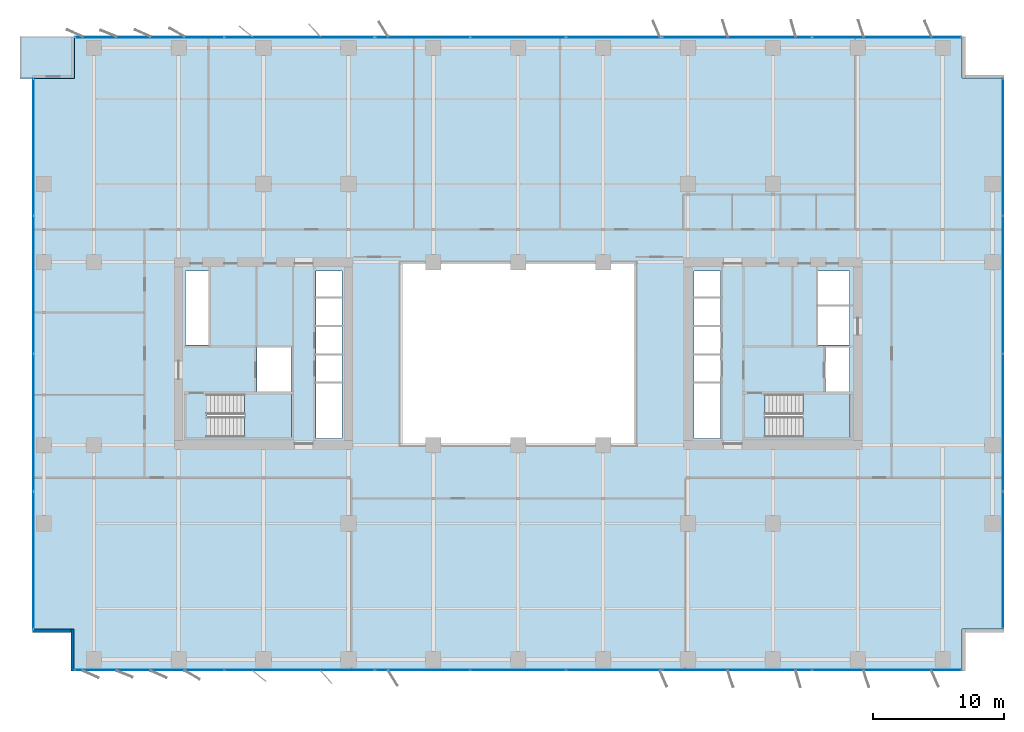
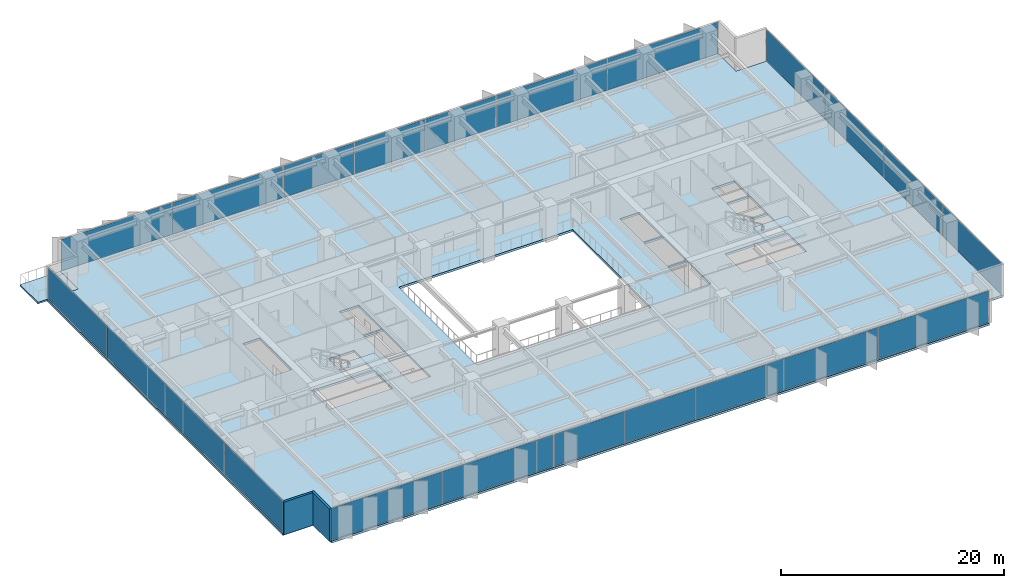
# One storey, part 12 of 20: 22 plates, 4 slabs, 2 walls, 10 elements without a shape of their own.
"""IFC4 building model written with IfcOpenShell, lengths in metres."""

from ifc_helpers import new_model, si_unit, direction, frame, frame_2d, origin, origin_2d, place, context, subcontext, project, spatial, polyline, rectangle, outline, extrude, material, layer, layer_set, type_object, element, aggregate, save


model = new_model("IFC4")

# Units and contexts
model_context = context("Model", 3, precision=1e-05, world=origin(), true_north=direction((0.0, 1.0)))
body_context = subcontext(model_context, "Body", "Model", "MODEL_VIEW")
ifc_project = project(units=[si_unit("LENGTHUNIT", "METRE"), si_unit("AREAUNIT", "SQUARE_METRE"), si_unit("VOLUMEUNIT", "CUBIC_METRE"), si_unit("PLANEANGLEUNIT", "RADIAN"), si_unit("MASSUNIT", "GRAM", prefix="KILO")], contexts=[model_context])

# Site, building, storey
site_placement = place(None, origin())
site = spatial("IfcSite", under=ifc_project, at=site_placement, CompositionType="ELEMENT")
building_placement = place(site_placement, origin())
building = spatial("IfcBuilding", under=site, at=building_placement, Name="Putna Gate Headquarters", CompositionType="ELEMENT")
storey_placement = place(building_placement, frame((0.0, 0.0, 89.800048828125)))
storey = spatial("IfcBuildingStorey", under=building, at=storey_placement, Name="L21", CompositionType="ELEMENT", Elevation=89.800048828125)

# Stair, slab
ifc_material_1 = material(Name="Concrete C40/50", Category="concrete")
stair_type_1 = type_object("IfcStairType", Name="STAIR-ST1", PredefinedType="HALF_TURN_STAIR", material=ifc_material_1)
stair_1_placement = place(storey_placement, origin())
stair_1 = element("IfcStair", 1, at=stair_1_placement, inside=storey, type_object=stair_type_1, Name="L21 West Core Exit Stair ST1", PredefinedType="HALF_TURN_STAIR")
ifc_layer_1 = layer(ifc_material_1, 0.199951171875)
ifc_layer_set_1 = layer_set([ifc_layer_1], Name="Concrete C40/50")
slab_type_1 = type_object("IfcSlabType", Name="LANDING-ST1", PredefinedType="LANDING", material=ifc_layer_set_1)
slab_1_placement = place(storey_placement, frame((0.0, 0.0, 1.699951171875)))
slab_1 = element("IfcSlab", 2, at=slab_1_placement, type_object=slab_type_1, Name="ST1 landing 1", PredefinedType="LANDING", context=body_context, shape_type="SweptSolid", body=[
    extrude(outline(polyline([(18.050048828125, 19.60009765625), (21.64990234375, 19.60009765625), (21.64990234375, 22.89990234375), (18.050048828125, 22.89990234375), (18.050048828125, 19.60009765625)])), origin(), (0.0, 0.0, 1.0), 0.199951171875),
])
aggregate(stair_1, [slab_1])

stair_type_2 = type_object("IfcStairType", Name="STAIR-ST2", PredefinedType="HALF_TURN_STAIR", material=ifc_material_1)
stair_2_placement = place(storey_placement, origin())
stair_2 = element("IfcStair", 3, at=stair_2_placement, inside=storey, type_object=stair_type_2, Name="L21 East Core Exit Stair ST2", PredefinedType="HALF_TURN_STAIR")
ifc_layer_2 = layer(ifc_material_1, 0.199951171875)
ifc_layer_set_2 = layer_set([ifc_layer_2], Name="Concrete C40/50")
slab_type_2 = type_object("IfcSlabType", Name="LANDING-ST2", PredefinedType="LANDING", material=ifc_layer_set_2)
slab_2_placement = place(storey_placement, frame((0.0, 0.0, 1.699951171875)))
slab_2 = element("IfcSlab", 4, at=slab_2_placement, type_object=slab_type_2, Name="ST2 landing 1", PredefinedType="LANDING", context=body_context, shape_type="SweptSolid", body=[
    extrude(outline(polyline([(60.800048828125, 19.60009765625), (64.39990234375, 19.60009765625), (64.39990234375, 22.89990234375), (60.800048828125, 22.89990234375), (60.800048828125, 19.60009765625)])), origin(), (0.0, 0.0, 1.0), 0.199951171875),
])
aggregate(stair_2, [slab_2])

# Curtain wall, plates
ifc_material_2 = material(Name="Anodised bronze aluminium curtain wall", Category="aluminium")
ifc_layer_3 = layer(ifc_material_2, 0.159912109375)
ifc_layer_set_3 = layer_set([ifc_layer_3], Name="Anodised bronze aluminium curtain wall")
curtain_wall_type_1 = type_object("IfcCurtainWallType", Name="CW-SYS-Z2", PredefinedType="USERDEFINED", material=ifc_layer_set_3)
curtain_wall_1_placement = place(storey_placement, origin())
curtain_wall_1 = element("IfcCurtainWall", 5, at=curtain_wall_1_placement, inside=storey, type_object=curtain_wall_type_1, Name="L21 South West Curtain Wall", ObjectType="STICK CURTAIN WALL", PredefinedType="USERDEFINED")
ifc_material_3 = material(Name="Solar-control triple low-E glass", Category="glass")
ifc_layer_4 = layer(ifc_material_3, 0.030029296875)
ifc_layer_set_4 = layer_set([ifc_layer_4], Name="Solar-control triple low-E glass")
plate_type_1 = type_object("IfcPlateType", Name="PAN-CWP-2", PredefinedType="CURTAIN_PANEL", material=ifc_layer_set_4)
plate_1_placement = place(storey_placement, frame((10.766357421875, 1.780029296875, 0.06494140625), z_axis=(0.0, 0.0, 1.0), x_axis=(1.0, 0.0, 0.0)))
plate_1 = element("IfcPlate", 6, at=plate_1_placement, type_object=plate_type_1, Name="CWS-2 panel 1.1", PredefinedType="CURTAIN_PANEL", context=body_context, shape_type="SweptSolid", body=[
    extrude(rectangle(XDim=11.402587890625, YDim=0.030029296875, at=origin_2d()), origin(), (0.0, 0.0, 1.0), 3.43505859375),
])
plate_2_placement = place(storey_placement, frame((22.233642578125, 1.780029296875, 0.06494140625), z_axis=(0.0, 0.0, 1.0), x_axis=(1.0, 0.0, 0.0)))
plate_2 = element("IfcPlate", 7, at=plate_2_placement, type_object=plate_type_1, Name="CWS-2 panel 2.1", PredefinedType="CURTAIN_PANEL", context=body_context, shape_type="SweptSolid", body=[
    extrude(rectangle(XDim=11.402587890625, YDim=0.030029296875, at=origin_2d()), origin(), (0.0, 0.0, 1.0), 3.43505859375),
])
aggregate(curtain_wall_1, [plate_1, plate_2])

curtain_wall_2_placement = place(storey_placement, origin())
curtain_wall_2 = element("IfcCurtainWall", 8, at=curtain_wall_2_placement, inside=storey, type_object=curtain_wall_type_1, Name="L21 South East Curtain Wall", ObjectType="STICK CURTAIN WALL", PredefinedType="USERDEFINED")
plate_3_placement = place(storey_placement, frame((55.766357421875, 1.780029296875, 0.06494140625), z_axis=(0.0, 0.0, 1.0), x_axis=(1.0, 0.0, 0.0)))
plate_3 = element("IfcPlate", 9, at=plate_3_placement, type_object=plate_type_1, Name="CWS-2 panel 1.1", PredefinedType="CURTAIN_PANEL", context=body_context, shape_type="SweptSolid", body=[
    extrude(rectangle(XDim=11.402587890625, YDim=0.030029296875, at=origin_2d()), origin(), (0.0, 0.0, 1.0), 3.43505859375),
])
plate_4_placement = place(storey_placement, frame((67.233642578125, 1.780029296875, 0.06494140625), z_axis=(0.0, 0.0, 1.0), x_axis=(1.0, 0.0, 0.0)))
plate_4 = element("IfcPlate", 10, at=plate_4_placement, type_object=plate_type_1, Name="CWS-2 panel 2.1", PredefinedType="CURTAIN_PANEL", context=body_context, shape_type="SweptSolid", body=[
    extrude(rectangle(XDim=11.402587890625, YDim=0.030029296875, at=origin_2d()), origin(), (0.0, 0.0, 1.0), 3.43505859375),
])
aggregate(curtain_wall_2, [plate_3, plate_4])

curtain_wall_3_placement = place(storey_placement, origin())
curtain_wall_3 = element("IfcCurtainWall", 11, at=curtain_wall_3_placement, inside=storey, type_object=curtain_wall_type_1, Name="L21 North West Curtain Wall", ObjectType="STICK CURTAIN WALL", PredefinedType="USERDEFINED")
plate_5_placement = place(storey_placement, frame((10.766357421875, 50.219970703125, 0.06494140625), z_axis=(0.0, 0.0, 1.0), x_axis=(1.0, 0.0, 0.0)))
plate_5 = element("IfcPlate", 12, at=plate_5_placement, type_object=plate_type_1, Name="CWS-2 panel 1.1", PredefinedType="CURTAIN_PANEL", context=body_context, shape_type="SweptSolid", body=[
    extrude(rectangle(XDim=11.402587890625, YDim=0.030029296875, at=origin_2d()), origin(), (0.0, 0.0, 1.0), 3.43505859375),
])
plate_6_placement = place(storey_placement, frame((22.233642578125, 50.219970703125, 0.06494140625), z_axis=(0.0, 0.0, 1.0), x_axis=(1.0, 0.0, 0.0)))
plate_6 = element("IfcPlate", 13, at=plate_6_placement, type_object=plate_type_1, Name="CWS-2 panel 2.1", PredefinedType="CURTAIN_PANEL", context=body_context, shape_type="SweptSolid", body=[
    extrude(rectangle(XDim=11.402587890625, YDim=0.030029296875, at=origin_2d()), origin(), (0.0, 0.0, 1.0), 3.43505859375),
])
aggregate(curtain_wall_3, [plate_5, plate_6])

curtain_wall_4_placement = place(storey_placement, origin())
curtain_wall_4 = element("IfcCurtainWall", 14, at=curtain_wall_4_placement, inside=storey, type_object=curtain_wall_type_1, Name="L21 North East Curtain Wall", ObjectType="STICK CURTAIN WALL", PredefinedType="USERDEFINED")
plate_7_placement = place(storey_placement, frame((55.766357421875, 50.219970703125, 0.06494140625), z_axis=(0.0, 0.0, 1.0), x_axis=(1.0, 0.0, 0.0)))
plate_7 = element("IfcPlate", 15, at=plate_7_placement, type_object=plate_type_1, Name="CWS-2 panel 1.1", PredefinedType="CURTAIN_PANEL", context=body_context, shape_type="SweptSolid", body=[
    extrude(rectangle(XDim=11.402587890625, YDim=0.030029296875, at=origin_2d()), origin(), (0.0, 0.0, 1.0), 3.43505859375),
])
plate_8_placement = place(storey_placement, frame((67.233642578125, 50.219970703125, 0.06494140625), z_axis=(0.0, 0.0, 1.0), x_axis=(1.0, 0.0, 0.0)))
plate_8 = element("IfcPlate", 16, at=plate_8_placement, type_object=plate_type_1, Name="CWS-2 panel 2.1", PredefinedType="CURTAIN_PANEL", context=body_context, shape_type="SweptSolid", body=[
    extrude(rectangle(XDim=11.402587890625, YDim=0.030029296875, at=origin_2d()), origin(), (0.0, 0.0, 1.0), 3.43505859375),
])
aggregate(curtain_wall_4, [plate_7, plate_8])

curtain_wall_5_placement = place(storey_placement, origin())
curtain_wall_5 = element("IfcCurtainWall", 17, at=curtain_wall_5_placement, inside=storey, type_object=curtain_wall_type_1, Name="L21 West Curtain Wall", ObjectType="STICK CURTAIN WALL", PredefinedType="USERDEFINED")
plate_9_placement = place(storey_placement, frame((1.8798828125, 10.191162109375, 0.06494140625), z_axis=(0.0, 0.0, 1.0), x_axis=(0.0, 1.0, 0.0)))
plate_9 = element("IfcPlate", 18, at=plate_9_placement, type_object=plate_type_1, Name="CWS-2 panel 1.1", PredefinedType="CURTAIN_PANEL", context=body_context, shape_type="SweptSolid", body=[
    extrude(rectangle(XDim=10.452392578125, YDim=0.030029296875, at=origin_2d()), origin(), (0.0, 0.0, 1.0), 3.43505859375),
])
plate_10_placement = place(storey_placement, frame((1.8798828125, 20.72509765625, 0.06494140625), z_axis=(0.0, 0.0, 1.0), x_axis=(0.0, 1.0, 0.0)))
plate_10 = element("IfcPlate", 19, at=plate_10_placement, type_object=plate_type_1, Name="CWS-2 panel 2.1", PredefinedType="CURTAIN_PANEL", context=body_context, shape_type="SweptSolid", body=[
    extrude(rectangle(XDim=10.485107421875, YDim=0.030029296875, at=origin_2d()), origin(), (0.0, 0.0, 1.0), 3.43505859375),
])
plate_11_placement = place(storey_placement, frame((1.8798828125, 31.27490234375, 0.06494140625), z_axis=(0.0, 0.0, 1.0), x_axis=(0.0, 1.0, 0.0)))
plate_11 = element("IfcPlate", 20, at=plate_11_placement, type_object=plate_type_1, Name="CWS-2 panel 3.1", PredefinedType="CURTAIN_PANEL", context=body_context, shape_type="SweptSolid", body=[
    extrude(rectangle(XDim=10.485107421875, YDim=0.030029296875, at=origin_2d()), origin(), (0.0, 0.0, 1.0), 3.43505859375),
])
plate_12_placement = place(storey_placement, frame((1.8798828125, 41.808837890625, 0.06494140625), z_axis=(0.0, 0.0, 1.0), x_axis=(0.0, 1.0, 0.0)))
plate_12 = element("IfcPlate", 21, at=plate_12_placement, type_object=plate_type_1, Name="CWS-2 panel 4.1", PredefinedType="CURTAIN_PANEL", context=body_context, shape_type="SweptSolid", body=[
    extrude(rectangle(XDim=10.452392578125, YDim=0.030029296875, at=origin_2d()), origin(), (0.0, 0.0, 1.0), 3.43505859375),
])
aggregate(curtain_wall_5, [plate_9, plate_10, plate_11, plate_12])

curtain_wall_6_placement = place(storey_placement, origin())
curtain_wall_6 = element("IfcCurtainWall", 22, at=curtain_wall_6_placement, inside=storey, type_object=curtain_wall_type_1, Name="L21 East Curtain Wall", ObjectType="STICK CURTAIN WALL", PredefinedType="USERDEFINED")
plate_13_placement = place(storey_placement, frame((76.1201171875, 10.191162109375, 0.06494140625), z_axis=(0.0, 0.0, 1.0), x_axis=(0.0, 1.0, 0.0)))
plate_13 = element("IfcPlate", 23, at=plate_13_placement, type_object=plate_type_1, Name="CWS-2 panel 1.1", PredefinedType="CURTAIN_PANEL", context=body_context, shape_type="SweptSolid", body=[
    extrude(rectangle(XDim=10.452392578125, YDim=0.030029296875, at=origin_2d()), origin(), (0.0, 0.0, 1.0), 3.43505859375),
])
plate_14_placement = place(storey_placement, frame((76.1201171875, 20.72509765625, 0.06494140625), z_axis=(0.0, 0.0, 1.0), x_axis=(0.0, 1.0, 0.0)))
plate_14 = element("IfcPlate", 24, at=plate_14_placement, type_object=plate_type_1, Name="CWS-2 panel 2.1", PredefinedType="CURTAIN_PANEL", context=body_context, shape_type="SweptSolid", body=[
    extrude(rectangle(XDim=10.485107421875, YDim=0.030029296875, at=origin_2d()), origin(), (0.0, 0.0, 1.0), 3.43505859375),
])
plate_15_placement = place(storey_placement, frame((76.1201171875, 31.27490234375, 0.06494140625), z_axis=(0.0, 0.0, 1.0), x_axis=(0.0, 1.0, 0.0)))
plate_15 = element("IfcPlate", 25, at=plate_15_placement, type_object=plate_type_1, Name="CWS-2 panel 3.1", PredefinedType="CURTAIN_PANEL", context=body_context, shape_type="SweptSolid", body=[
    extrude(rectangle(XDim=10.485107421875, YDim=0.030029296875, at=origin_2d()), origin(), (0.0, 0.0, 1.0), 3.43505859375),
])
plate_16_placement = place(storey_placement, frame((76.1201171875, 41.808837890625, 0.06494140625), z_axis=(0.0, 0.0, 1.0), x_axis=(0.0, 1.0, 0.0)))
plate_16 = element("IfcPlate", 26, at=plate_16_placement, type_object=plate_type_1, Name="CWS-2 panel 4.1", PredefinedType="CURTAIN_PANEL", context=body_context, shape_type="SweptSolid", body=[
    extrude(rectangle(XDim=10.452392578125, YDim=0.030029296875, at=origin_2d()), origin(), (0.0, 0.0, 1.0), 3.43505859375),
])
aggregate(curtain_wall_6, [plate_13, plate_14, plate_15, plate_16])

ifc_layer_5 = layer(ifc_material_2, 0.179931640625)
ifc_layer_set_5 = layer_set([ifc_layer_5], Name="Anodised bronze aluminium curtain wall")
curtain_wall_type_2 = type_object("IfcCurtainWallType", Name="CW-SYS-ATR", PredefinedType="USERDEFINED", material=ifc_layer_set_5)
curtain_wall_7_placement = place(storey_placement, origin())
curtain_wall_7 = element("IfcCurtainWall", 27, at=curtain_wall_7_placement, inside=storey, type_object=curtain_wall_type_2, Name="L21 South Atrium Clear Glazing", ObjectType="ATRIUM GLAZING", PredefinedType="USERDEFINED")
ifc_material_4 = material(Name="Clear low-iron triple glazing", Category="glass")
ifc_layer_6 = layer(ifc_material_4, 0.0400390625)
ifc_layer_set_6 = layer_set([ifc_layer_6], Name="Clear low-iron triple glazing")
plate_type_2 = type_object("IfcPlateType", Name="PAN-CWP-AT", PredefinedType="CURTAIN_PANEL", material=ifc_layer_set_6)
plate_17_placement = place(storey_placement, frame((31.68408203125, 1.780029296875, 0.06982421875), z_axis=(0.0, 0.0, 1.0), x_axis=(1.0, 0.0, 0.0)))
plate_17 = element("IfcPlate", 28, at=plate_17_placement, type_object=plate_type_2, Name="CWS-AT panel 1.1", PredefinedType="CURTAIN_PANEL", context=body_context, shape_type="SweptSolid", body=[
    extrude(rectangle(XDim=7.228271484375, YDim=0.0400390625, at=origin_2d()), origin(), (0.0, 0.0, 1.0), 3.425048828125),
])
plate_18_placement = place(storey_placement, frame((39.0, 1.780029296875, 0.06982421875), z_axis=(0.0, 0.0, 1.0), x_axis=(1.0, 0.0, 0.0)))
plate_18 = element("IfcPlate", 29, at=plate_18_placement, type_object=plate_type_2, Name="CWS-AT panel 2.1", PredefinedType="CURTAIN_PANEL", context=body_context, shape_type="SweptSolid", body=[
    extrude(rectangle(XDim=7.263427734375, YDim=0.0400390625, at=origin_2d()), origin(), (0.0, 0.0, 1.0), 3.425048828125),
])
plate_19_placement = place(storey_placement, frame((46.31591796875, 1.780029296875, 0.06982421875), z_axis=(0.0, 0.0, 1.0), x_axis=(1.0, 0.0, 0.0)))
plate_19 = element("IfcPlate", 30, at=plate_19_placement, type_object=plate_type_2, Name="CWS-AT panel 3.1", PredefinedType="CURTAIN_PANEL", context=body_context, shape_type="SweptSolid", body=[
    extrude(rectangle(XDim=7.228271484375, YDim=0.0400390625, at=origin_2d()), origin(), (0.0, 0.0, 1.0), 3.425048828125),
])
aggregate(curtain_wall_7, [plate_17, plate_18, plate_19])

curtain_wall_8_placement = place(storey_placement, origin())
curtain_wall_8 = element("IfcCurtainWall", 31, at=curtain_wall_8_placement, inside=storey, type_object=curtain_wall_type_2, Name="L21 North Atrium Clear Glazing", ObjectType="ATRIUM GLAZING", PredefinedType="USERDEFINED")
plate_20_placement = place(storey_placement, frame((31.68408203125, 50.219970703125, 0.06982421875), z_axis=(0.0, 0.0, 1.0), x_axis=(1.0, 0.0, 0.0)))
plate_20 = element("IfcPlate", 32, at=plate_20_placement, type_object=plate_type_2, Name="CWS-AT panel 1.1", PredefinedType="CURTAIN_PANEL", context=body_context, shape_type="SweptSolid", body=[
    extrude(rectangle(XDim=7.228271484375, YDim=0.0400390625, at=origin_2d()), origin(), (0.0, 0.0, 1.0), 3.425048828125),
])
plate_21_placement = place(storey_placement, frame((39.0, 50.219970703125, 0.06982421875), z_axis=(0.0, 0.0, 1.0), x_axis=(1.0, 0.0, 0.0)))
plate_21 = element("IfcPlate", 33, at=plate_21_placement, type_object=plate_type_2, Name="CWS-AT panel 2.1", PredefinedType="CURTAIN_PANEL", context=body_context, shape_type="SweptSolid", body=[
    extrude(rectangle(XDim=7.263427734375, YDim=0.0400390625, at=origin_2d()), origin(), (0.0, 0.0, 1.0), 3.425048828125),
])
plate_22_placement = place(storey_placement, frame((46.31591796875, 50.219970703125, 0.06982421875), z_axis=(0.0, 0.0, 1.0), x_axis=(1.0, 0.0, 0.0)))
plate_22 = element("IfcPlate", 34, at=plate_22_placement, type_object=plate_type_2, Name="CWS-AT panel 3.1", PredefinedType="CURTAIN_PANEL", context=body_context, shape_type="SweptSolid", body=[
    extrude(rectangle(XDim=7.228271484375, YDim=0.0400390625, at=origin_2d()), origin(), (0.0, 0.0, 1.0), 3.425048828125),
])
aggregate(curtain_wall_8, [plate_20, plate_21, plate_22])

# Slabs
ifc_layer_7 = layer(ifc_material_1, 0.179931640625)
ifc_layer_set_7 = layer_set([ifc_layer_7], Name="Concrete C40/50")
slab_type_3 = type_object("IfcSlabType", Name="SLAB-TERRACE-180", PredefinedType="FLOOR", material=ifc_layer_set_7)
slab_3_placement = place(storey_placement, frame((0.0, 0.0, -0.179931640625)))
element("IfcSlab", 35, at=slab_3_placement, inside=storey, type_object=slab_type_3, Name="L21 Spiral Sky-Garden Terrace Slab (NW)", PredefinedType="FLOOR", context=body_context, shape_type="SweptSolid", body=[
    extrude(outline(polyline([(0.85009765625, 47.092041015625), (5.008056640625, 47.092041015625), (5.008056640625, 50.300048828125), (0.85009765625, 50.300048828125), (0.85009765625, 47.092041015625)])), origin(), (0.0, 0.0, 1.0), 0.179931640625),
])
ifc_layer_8 = layer(ifc_material_1, 0.235107421875)
ifc_layer_set_8 = layer_set([ifc_layer_8], Name="Concrete C40/50")
slab_type_4 = type_object("IfcSlabType", Name="SLAB-Z2-235", PredefinedType="FLOOR", material=ifc_layer_set_8)
slab_4_placement = place(storey_placement, frame((0.0, 0.0, -0.235107421875)))
element("IfcSlab", 36, at=slab_4_placement, inside=storey, type_object=slab_type_4, Name="L21 Composite Floor Slab", PredefinedType="FLOOR", context=body_context, shape_type="SweptSolid", body=[
    extrude(outline(polyline([(5.0, 1.699951171875), (73.0, 1.699951171875), (73.0, 4.89990234375), (76.199951171875, 4.89990234375), (76.199951171875, 47.10009765625), (73.0, 47.10009765625), (73.0, 50.300048828125), (5.0, 50.300048828125), (5.0, 47.10009765625), (1.800048828125, 47.10009765625), (1.800048828125, 4.89990234375), (5.0, 4.89990234375), (5.0, 1.699951171875)]), holes=[polyline([(15.1650390625, 19.60009765625), (21.64990234375, 19.60009765625), (21.64990234375, 22.89990234375), (15.1650390625, 22.89990234375), (15.1650390625, 19.60009765625)]), polyline([(57.9150390625, 19.60009765625), (64.39990234375, 19.60009765625), (64.39990234375, 22.89990234375), (57.9150390625, 22.89990234375), (57.9150390625, 19.60009765625)]), polyline([(13.52001953125, 26.659912109375), (15.280029296875, 26.659912109375), (15.280029296875, 32.35009765625), (13.52001953125, 32.35009765625), (13.52001953125, 26.659912109375)]), polyline([(61.969970703125, 29.780029296875), (64.35009765625, 29.780029296875), (64.35009765625, 32.35009765625), (61.969970703125, 32.35009765625), (61.969970703125, 29.780029296875)]), polyline([(18.97998046875, 23.1201171875), (21.6201171875, 23.1201171875), (21.6201171875, 26.4599609375), (18.97998046875, 26.4599609375), (18.97998046875, 23.1201171875)]), polyline([(62.52001953125, 23.1201171875), (64.35009765625, 23.1201171875), (64.35009765625, 26.4599609375), (62.52001953125, 26.4599609375), (62.52001953125, 23.1201171875)]), polyline([(61.969970703125, 26.659912109375), (64.35009765625, 26.659912109375), (64.35009765625, 29.6201171875), (61.969970703125, 29.6201171875), (61.969970703125, 26.659912109375)]), polyline([(23.5, 19.52001953125), (25.5, 19.52001953125), (25.5, 23.699951171875), (23.5, 23.699951171875), (23.5, 19.52001953125)]), polyline([(52.47998046875, 19.52001953125), (54.5, 19.52001953125), (54.5, 23.699951171875), (52.47998046875, 23.699951171875), (52.47998046875, 19.52001953125)]), polyline([(23.5, 23.860107421875), (25.5, 23.860107421875), (25.5, 28.0400390625), (23.5, 28.0400390625), (23.5, 23.860107421875)]), polyline([(52.47998046875, 23.860107421875), (54.5, 23.860107421875), (54.5, 28.0400390625), (52.47998046875, 28.0400390625), (52.47998046875, 23.860107421875)]), polyline([(23.5, 28.199951171875), (25.5, 28.199951171875), (25.5, 32.35009765625), (23.5, 32.35009765625), (23.5, 28.199951171875)]), polyline([(52.47998046875, 28.199951171875), (54.5, 28.199951171875), (54.5, 32.35009765625), (52.47998046875, 32.35009765625), (52.47998046875, 28.199951171875)]), polyline([(30.0, 19.0), (48.0, 19.0), (48.0, 33.0), (30.0, 33.0), (30.0, 19.0)])]), origin(), (0.0, 0.0, 1.0), 0.235107421875),
])

# Walls
ifc_material_5 = material(Name="Precast concrete C40/50", Category="concrete")
ifc_layer_9 = layer(ifc_material_5, 0.239990234375)
ifc_layer_set_9 = layer_set([ifc_layer_9], Name="Precast concrete C40/50")
wall_type = type_object("IfcWallType", Name="WALL-EXT-TERR-240", PredefinedType="STANDARD", material=ifc_layer_set_9)
for number, where, z_axis, x_axis, name in (
    (37, (4.8798828125, 1.699951171875, 0.0), (0.0, 0.0, 1.0), (0.0, 1.0, 0.0), "L21 Corner Notch Return Wall SW-V"),
    (38, (5.0, 4.780029296875, 0.0), (0.0, 0.0, 1.0), (-1.0, 0.0, 0.0), "L21 Corner Notch Return Wall SW-H"),
):
    element("IfcWall", number, at=place(storey_placement, frame(where, z_axis=z_axis, x_axis=x_axis)), inside=storey, type_object=wall_type, Name=name, PredefinedType="STANDARD", context=body_context, shape_type="SweptSolid", body=[
        extrude(rectangle(XDim=3.199951171875, YDim=0.239990234375, at=frame_2d((1.60009765625, 0.0))), origin(), (0.0, 0.0, 1.0), 3.56494140625),
    ])

save(model, "model.ifc")
